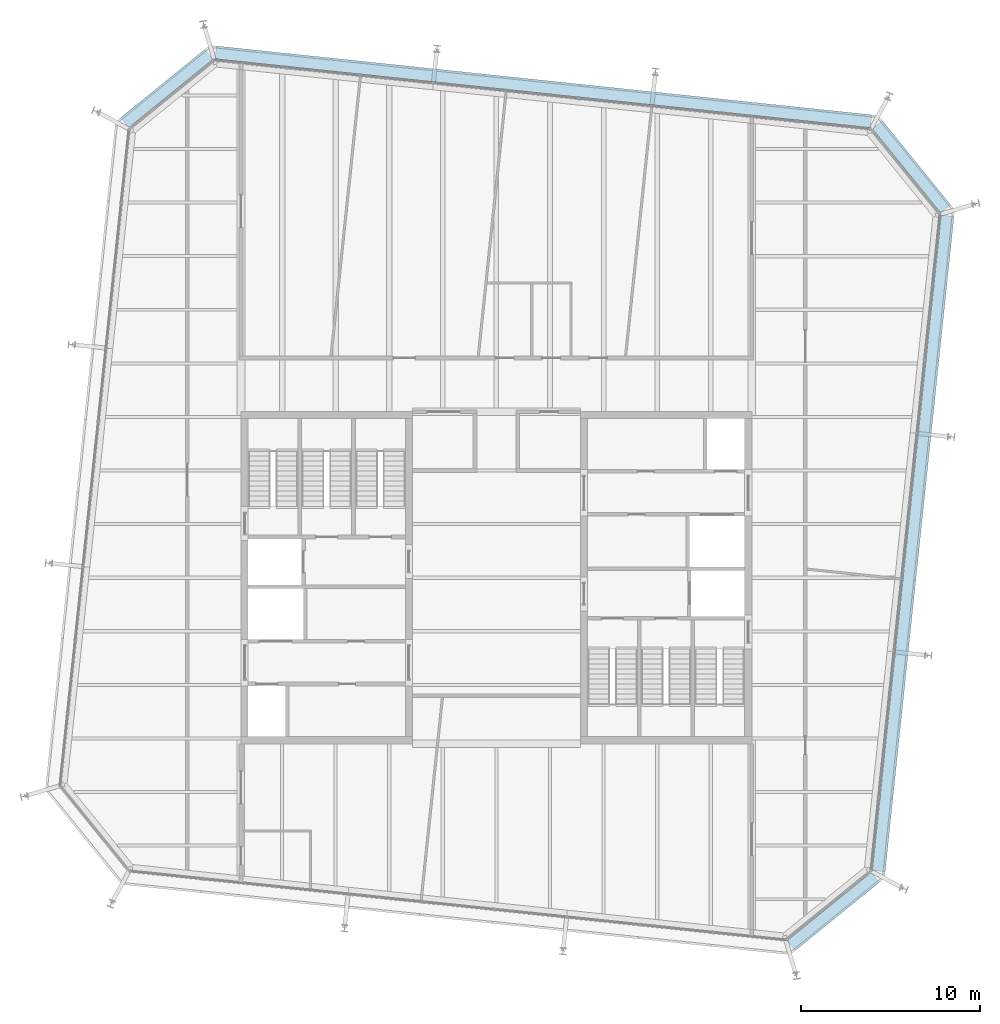
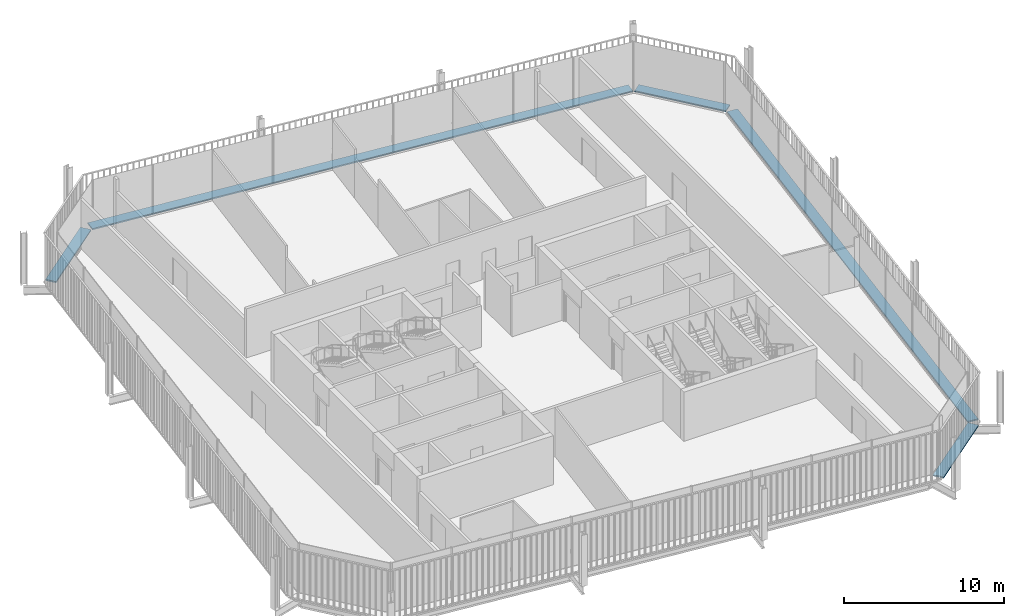
# One storey, part 19 of 20: 5 discrete accessories.
"""IFC4 building model written with IfcOpenShell, lengths in metres."""

from ifc_helpers import new_model, si_unit, direction, frame, origin, origin_2d, place, context, subcontext, project, spatial, rectangle, extrude, material, type_object, element, save


model = new_model("IFC4")

# Units and contexts
model_context = context("Model", 3, precision=1e-05, world=origin(), true_north=direction((0.0, 1.0)))
body_context = subcontext(model_context, "Body", "Model", "MODEL_VIEW")
ifc_project = project(units=[si_unit("LENGTHUNIT", "METRE"), si_unit("AREAUNIT", "SQUARE_METRE"), si_unit("VOLUMEUNIT", "CUBIC_METRE"), si_unit("PLANEANGLEUNIT", "RADIAN"), si_unit("MASSUNIT", "GRAM", prefix="KILO")], contexts=[model_context])

# Site, building, storey
site_placement = place(None, origin())
site = spatial("IfcSite", under=ifc_project, at=site_placement, CompositionType="ELEMENT")
building_placement = place(site_placement, origin())
building = spatial("IfcBuilding", under=site, at=building_placement, Name="Millrace Tower", CompositionType="ELEMENT")
storey_placement = place(building_placement, frame((0.0, 0.0, 279.89990234375)))
storey = spatial("IfcBuildingStorey", under=building, at=storey_placement, Name="L64", CompositionType="ELEMENT", Elevation=279.89990234375)

# Discrete accessories
ifc_material = material(Name="Stainless steel ASTM A240 type 316", Category="steel")
discrete_accessory_type = type_object("IfcDiscreteAccessoryType", Name="Thermally broken screen support rail", PredefinedType="BRACKET", material=ifc_material)
discrete_accessory_1_placement = place(storey_placement, frame((18.854736328125, -18.686767578125, 0.0), z_axis=(0.0, 0.0, 1.0), x_axis=(0.777146052237, 0.629320278945, 0.0)))
element("IfcDiscreteAccessory", 1, at=discrete_accessory_1_placement, inside=storey, type_object=discrete_accessory_type, Name="Thermally broken screen support rail E-F03 L64 1", PredefinedType="BRACKET", context=body_context, shape_type="SweptSolid", body=[
    extrude(rectangle(XDim=6.0810546875, YDim=0.719970703125, at=origin_2d()), origin(), (0.0, 0.0, 1.0), 0.10009765625),
])
discrete_accessory_2_placement = place(storey_placement, frame((23.33251953125, 1.918701171875, 0.0), z_axis=(0.0, 0.0, 1.0), x_axis=(0.104528455196, 0.994521896217, 0.0)))
element("IfcDiscreteAccessory", 2, at=discrete_accessory_2_placement, inside=storey, type_object=discrete_accessory_type, Name="Thermally broken screen support rail E-F04 L64 1", PredefinedType="BRACKET", context=body_context, shape_type="SweptSolid", body=[
    extrude(rectangle(XDim=36.89990234375, YDim=0.719970703125, at=origin_2d()), origin(), (0.0, 0.0, 1.0), 0.10009765625),
])
discrete_accessory_3_placement = place(storey_placement, frame((23.23681640625, 23.0048828125, 0.0), z_axis=(0.0, 0.0, 1.0), x_axis=(-0.629320278945, 0.777146052237, 0.0)))
element("IfcDiscreteAccessory", 3, at=discrete_accessory_3_placement, inside=storey, type_object=discrete_accessory_type, Name="Thermally broken screen support rail E-F05 L64 1", PredefinedType="BRACKET", context=body_context, shape_type="SweptSolid", body=[
    extrude(rectangle(XDim=6.0810546875, YDim=0.719970703125, at=origin_2d()), origin(), (0.0, 0.0, 1.0), 0.10009765625),
])
discrete_accessory_4_placement = place(storey_placement, frame((2.63134765625, 27.482666015625, 0.0), z_axis=(0.0, 0.0, 1.0), x_axis=(-0.994521896217, 0.104528455196, 0.0)))
element("IfcDiscreteAccessory", 4, at=discrete_accessory_4_placement, inside=storey, type_object=discrete_accessory_type, Name="Thermally broken screen support rail E-F06 L64 1", PredefinedType="BRACKET", context=body_context, shape_type="SweptSolid", body=[
    extrude(rectangle(XDim=36.89990234375, YDim=0.719970703125, at=origin_2d()), origin(), (0.0, 0.0, 1.0), 0.10009765625),
])
discrete_accessory_5_placement = place(storey_placement, frame((-18.454833984375, 27.38671875, 0.0), z_axis=(0.0, 0.0, 1.0), x_axis=(-0.777146052237, -0.629320278945, 0.0)))
element("IfcDiscreteAccessory", 5, at=discrete_accessory_5_placement, inside=storey, type_object=discrete_accessory_type, Name="Thermally broken screen support rail E-F07 L64 1", PredefinedType="BRACKET", context=body_context, shape_type="SweptSolid", body=[
    extrude(rectangle(XDim=6.0810546875, YDim=0.719970703125, at=origin_2d()), origin(), (0.0, 0.0, 1.0), 0.10009765625),
])

save(model, "model.ifc")
